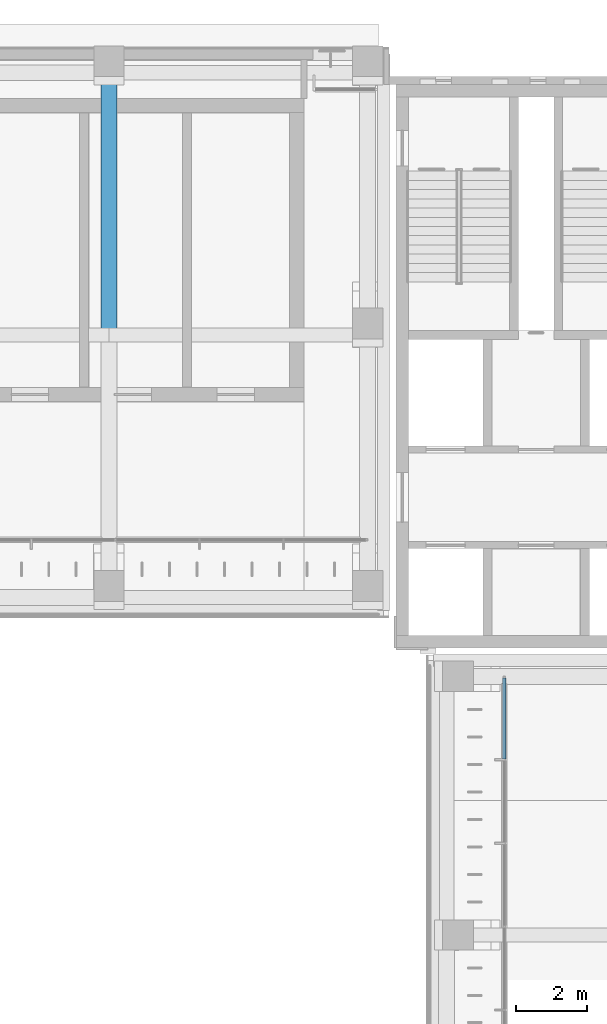
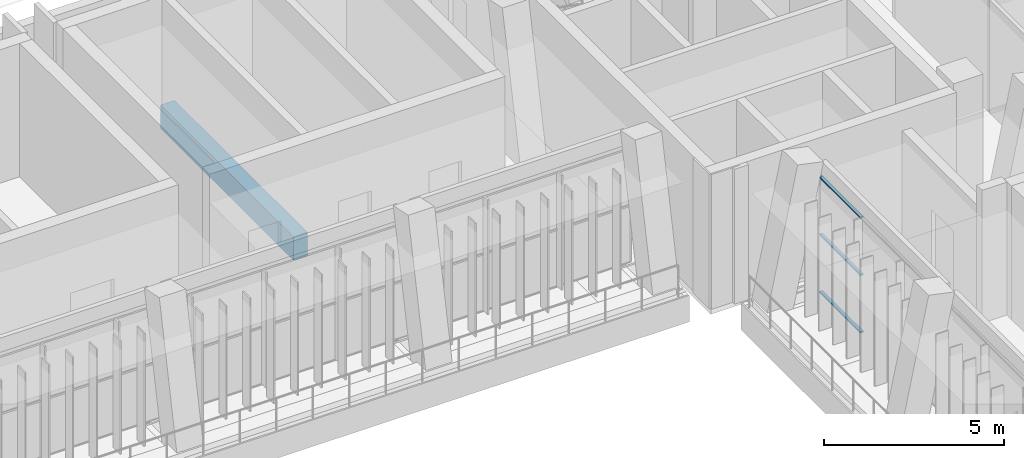
# One storey, part 46 of 92: 3 members, 1 beam, 1 element without a shape of its own.
"""IFC4 building model written with IfcOpenShell, lengths in metres."""

from ifc_helpers import new_model, si_unit, direction, frame, origin, origin_2d, place, context, subcontext, project, spatial, rectangle, extrude, material, material_profile, profile_set, type_object, element, aggregate, save


model = new_model("IFC4")

# Units and contexts
model_context = context("Model", 3, precision=1e-05, world=origin(), true_north=direction((0.0, 1.0)))
body_context = subcontext(model_context, "Body", "Model", "MODEL_VIEW")
ifc_project = project(units=[si_unit("LENGTHUNIT", "METRE"), si_unit("AREAUNIT", "SQUARE_METRE"), si_unit("VOLUMEUNIT", "CUBIC_METRE"), si_unit("PLANEANGLEUNIT", "RADIAN"), si_unit("MASSUNIT", "GRAM", prefix="KILO")], contexts=[model_context])

# Site, building, storey
site_placement = place(None, origin())
site = spatial("IfcSite", under=ifc_project, at=site_placement, CompositionType="ELEMENT")
building_placement = place(site_placement, origin())
building = spatial("IfcBuilding", under=site, at=building_placement, Name="Lantern Court Media Centre", CompositionType="ELEMENT")
storey_placement = place(building_placement, frame((0.0, 0.0, 4.800048828125)))
storey = spatial("IfcBuildingStorey", under=building, at=storey_placement, Name="L01", CompositionType="ELEMENT", Elevation=4.800048828125)

# Curtain wall, members
ifc_material_1 = material(Name="Curtain wall bay 2400")
curtain_wall_type = type_object("IfcCurtainWallType", Name="Curtain wall bay 2400", PredefinedType="NOTDEFINED", material=ifc_material_1)
curtain_wall_placement = place(storey_placement, origin())
curtain_wall = element("IfcCurtainWall", 1, at=curtain_wall_placement, inside=storey, type_object=curtain_wall_type, Name="Curtain wall E inner L01", PredefinedType="NOTDEFINED")
ifc_material_2 = material(Name="Anodised aluminium", Category="aluminium")
ifc_material_profile_1 = material_profile(ifc_material_2, rectangle(XDim=0.10009765625, YDim=0.050048828125, at=origin_2d()), Name="AL 50x100")
ifc_profile_set_1 = profile_set([ifc_material_profile_1], Name="Anodised aluminium")
member_type = type_object("IfcMemberType", Name="Curtain wall transom 100x50", PredefinedType="USERDEFINED", material=ifc_profile_set_1)
member_1_placement = place(storey_placement, frame((83.14990234375, 92.97119140625, 0.02490234375), z_axis=(0.0, 1.0, 0.0), x_axis=(-1.0, 0.0, 0.0)))
member_1 = element("IfcMember", 2, at=member_1_placement, type_object=member_type, Name="CW2 transom 13.1", ObjectType="TRANSOM", PredefinedType="USERDEFINED", context=body_context, shape_type="SweptSolid", body=[
    extrude(rectangle(XDim=0.10009765625, YDim=0.050048828125, at=origin_2d()), origin(), (0.0, 0.0, 1.0), 2.27880859375),
])
member_2_placement = place(storey_placement, frame((83.14990234375, 92.97119140625, 1.974853515625), z_axis=(0.0, 1.0, 0.0), x_axis=(-1.0, 0.0, 0.0)))
member_2 = element("IfcMember", 3, at=member_2_placement, type_object=member_type, Name="CW2 transom 13.2", ObjectType="TRANSOM", PredefinedType="USERDEFINED", context=body_context, shape_type="SweptSolid", body=[
    extrude(rectangle(XDim=0.10009765625, YDim=0.050048828125, at=origin_2d()), origin(), (0.0, 0.0, 1.0), 2.27880859375),
])
member_3_placement = place(storey_placement, frame((83.14990234375, 92.97119140625, 3.925048828125), z_axis=(0.0, 1.0, 0.0), x_axis=(-1.0, 0.0, 0.0)))
member_3 = element("IfcMember", 4, at=member_3_placement, type_object=member_type, Name="CW2 transom 13.3", ObjectType="TRANSOM", PredefinedType="USERDEFINED", context=body_context, shape_type="SweptSolid", body=[
    extrude(rectangle(XDim=0.10009765625, YDim=0.050048828125, at=origin_2d()), origin(), (0.0, 0.0, 1.0), 2.27880859375),
])
aggregate(curtain_wall, [member_1, member_2, member_3])

# Beam
ifc_material_3 = material(Name="Concrete C35", Category="concrete")
ifc_material_profile_2 = material_profile(ifc_material_3, rectangle(XDim=0.449951171875, YDim=0.800048828125, at=origin_2d()), Name="RC 450x800")
ifc_profile_set_2 = profile_set([ifc_material_profile_2], Name="Concrete C35")
beam_type = type_object("IfcBeamType", Name="RC BEAM 450x800", PredefinedType="BEAM", material=ifc_profile_set_2)
beam_placement = place(storey_placement, frame((72.0, 104.916748046875, -0.400146484375), z_axis=(0.0, 1.0, 0.0), x_axis=(-1.0, 0.0, 0.0)))
element("IfcBeam", 5, at=beam_placement, inside=storey, type_object=beam_type, Name="TB-N-L01-6-2", PredefinedType="BEAM", context=body_context, shape_type="SweptSolid", body=[
    extrude(rectangle(XDim=0.449951171875, YDim=0.800048828125, at=origin_2d()), origin(), (0.0, 0.0, 1.0), 7.39990234375),
])

save(model, "model.ifc")
